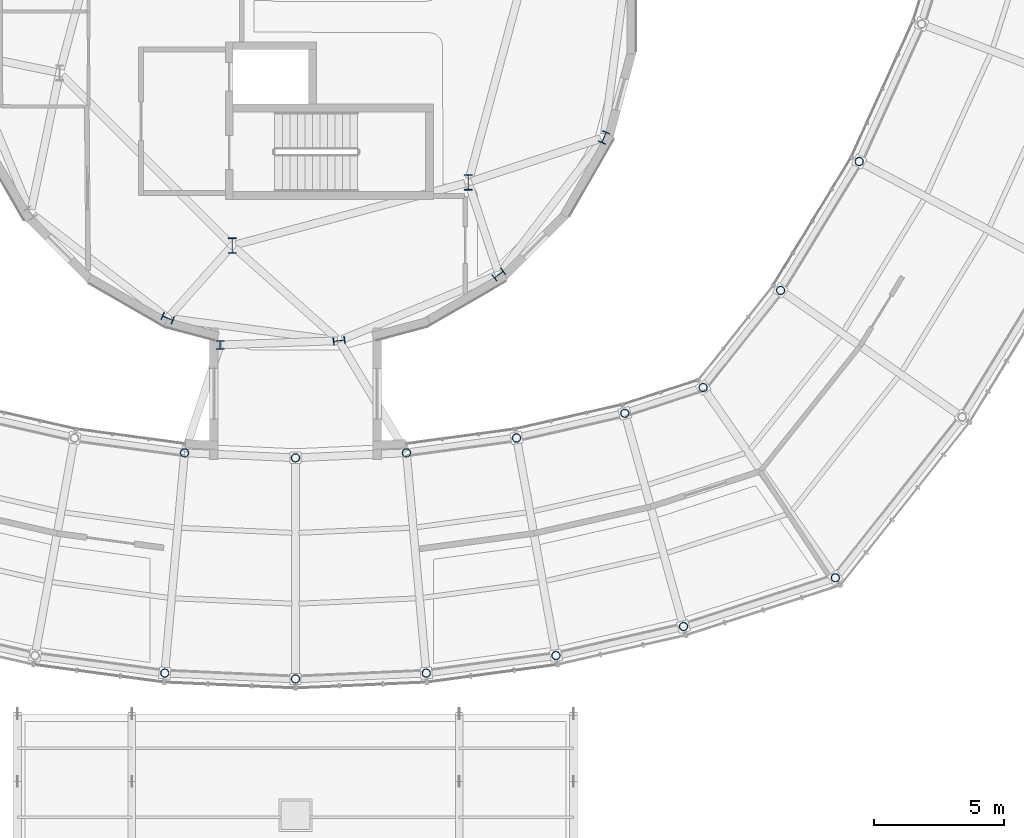
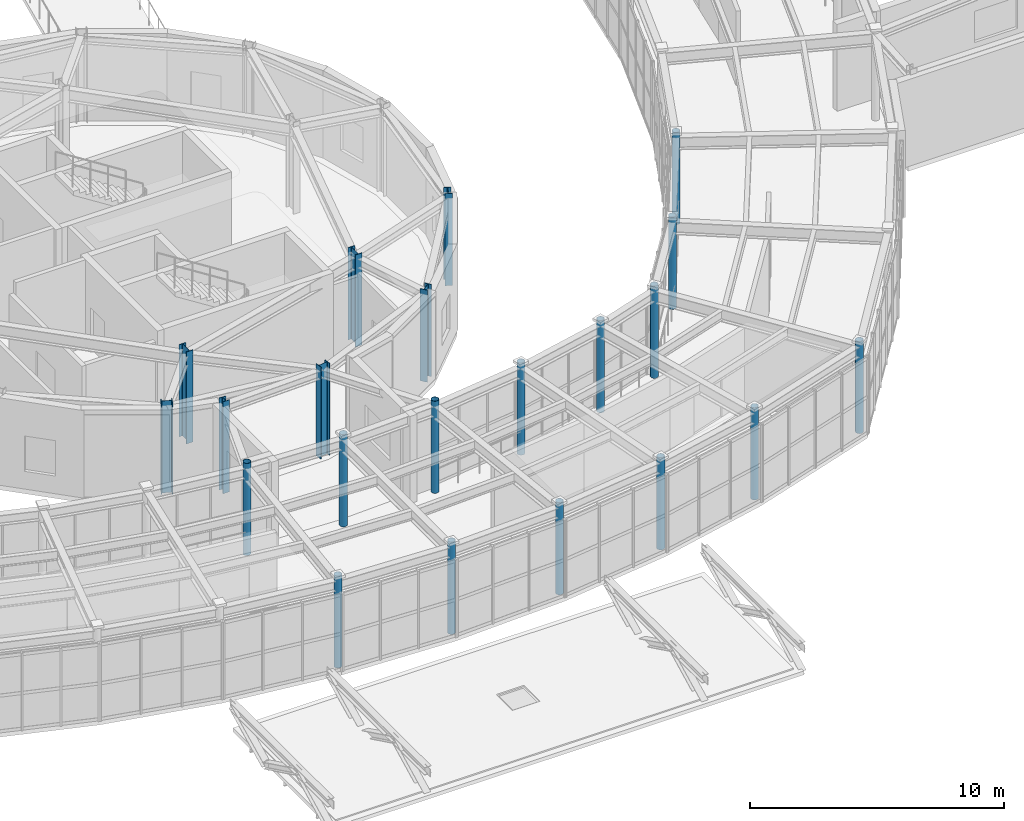
# One storey, part 5 of 103: 21 columns.
"""IFC4 building model written with IfcOpenShell, lengths in metres."""

from ifc_helpers import new_model, si_unit, direction, frame, origin, origin_2d, place, context, subcontext, project, spatial, hollow_circle, i_section, extrude, material, material_profile, profile_set, type_object, element, save


model = new_model("IFC4")

# Units and contexts
model_context = context("Model", 3, precision=1e-05, world=origin(), true_north=direction((0.0, 1.0)))
body_context = subcontext(model_context, "Body", "Model", "MODEL_VIEW")
ifc_project = project(units=[si_unit("LENGTHUNIT", "METRE"), si_unit("AREAUNIT", "SQUARE_METRE"), si_unit("VOLUMEUNIT", "CUBIC_METRE"), si_unit("PLANEANGLEUNIT", "RADIAN"), si_unit("MASSUNIT", "GRAM", prefix="KILO")], contexts=[model_context])

# Site, building, storey
site_placement = place(None, origin())
site = spatial("IfcSite", under=ifc_project, at=site_placement, CompositionType="ELEMENT")
building_placement = place(site_placement, origin())
building = spatial("IfcBuilding", under=site, at=building_placement, Name="Varnklinge Art Gallery", CompositionType="ELEMENT")
storey_placement = place(building_placement, frame((0.0, 0.0, 5.10009765625)))
storey = spatial("IfcBuildingStorey", under=building, at=storey_placement, Name="L01", CompositionType="ELEMENT", Elevation=5.10009765625)

# Columns
ifc_material_1 = material(Name="Steel S355", Category="steel")
ifc_material_profile_1 = material_profile(ifc_material_1, i_section(OverallWidth=0.300048828125, OverallDepth=0.60009765625, WebThickness=0.015380859375, FlangeThickness=0.030029296875, FilletRadius=0.027099609375, at=origin_2d()), Name="HEB 600")
ifc_profile_set_1 = profile_set([ifc_material_profile_1], Name="Steel S355")
column_type_1 = type_object("IfcColumnType", Name="COL-04", PredefinedType="COLUMN", material=ifc_profile_set_1)
for number, where, z_axis, x_axis, name in (
    (1, (73.067138671875, 29.42041015625, 0.0), (0.0, 0.0, 1.0), (1.0, 0.0, 0.0), "L01 Column V4CI-5"),
    (2, (82.146728515625, 31.853271484375, 0.0), (0.0, 0.0, 1.0), (1.0, 0.0, 0.0), "L01 Column V4CI-6"),
):
    element("IfcColumn", number, at=place(storey_placement, frame(where, z_axis=z_axis, x_axis=x_axis)), inside=storey, type_object=column_type_1, Name=name, PredefinedType="COLUMN", context=body_context, shape_type="SweptSolid", body=[
        extrude(i_section(OverallWidth=0.300048828125, OverallDepth=0.60009765625, WebThickness=0.015380859375, FlangeThickness=0.030029296875, FilletRadius=0.027099609375, at=origin_2d()), origin(), (0.0, 0.0, 1.0), 4.419921875),
    ])
ifc_material_2 = material(Name="Steel S355", Category="steel")
ifc_material_profile_2 = material_profile(ifc_material_2, i_section(OverallWidth=0.300048828125, OverallDepth=0.320068359375, WebThickness=0.011474609375, FlangeThickness=0.0205078125, FilletRadius=0.027099609375, at=origin_2d()), Name="HEB 320")
ifc_profile_set_2 = profile_set([ifc_material_profile_2], Name="Steel S355")
column_type_2 = type_object("IfcColumnType", Name="COL-09", PredefinedType="COLUMN", material=ifc_profile_set_2)
column_placement = place(storey_placement, frame((72.60009765625, 25.60009765625, 0.0), z_axis=(0.0, 0.0, 1.0), x_axis=(1.0, 0.0, 0.0)))
element("IfcColumn", 3, at=column_placement, inside=storey, type_object=column_type_2, Name="L01 Column LNK-V4S-C4", PredefinedType="COLUMN", context=body_context, shape_type="SweptSolid", body=[
    extrude(i_section(OverallWidth=0.300048828125, OverallDepth=0.320068359375, WebThickness=0.011474609375, FlangeThickness=0.0205078125, FilletRadius=0.027099609375, at=origin_2d()), origin(), (0.0, 0.0, 1.0), 4.419921875),
])
ifc_material_3 = material(Name="Steel S355", Category="steel")
ifc_material_profile_3 = material_profile(ifc_material_3, i_section(OverallWidth=0.300048828125, OverallDepth=0.449951171875, WebThickness=0.013916015625, FlangeThickness=0.02587890625, FilletRadius=0.027099609375, at=origin_2d()), Name="HEB 450")
ifc_profile_set_3 = profile_set([ifc_material_profile_3], Name="Steel S355")
column_type_3 = type_object("IfcColumnType", Name="COL-E2", PredefinedType="COLUMN", material=ifc_profile_set_3)
for number, where, z_axis, x_axis, name in (
    (4, (70.58251953125, 26.628173828125, 0.0), (0.0, 0.0, 1.0), (-0.382683432365, -0.923879532511, 0.0), "L01 Column V4CP-09"),
    (5, (77.17724609375, 25.760009765625, 0.0), (0.0, 0.0, 1.0), (0.13052619222, -0.991444861374, 0.0), "L01 Column V4CP-10"),
    (6, (83.322509765625, 28.305419921875, 0.0), (0.0, 0.0, 1.0), (0.608761429009, -0.793353340291, 0.0), "L01 Column V4CP-11"),
    (7, (87.371826171875, 33.58251953125, 0.0), (0.0, 0.0, 1.0), (0.923879532511, -0.382683432365, 0.0), "L01 Column V4CP-12"),
):
    element("IfcColumn", number, at=place(storey_placement, frame(where, z_axis=z_axis, x_axis=x_axis)), inside=storey, type_object=column_type_3, Name=name, PredefinedType="COLUMN", context=body_context, shape_type="SweptSolid", body=[
        extrude(i_section(OverallWidth=0.300048828125, OverallDepth=0.449951171875, WebThickness=0.013916015625, FlangeThickness=0.02587890625, FilletRadius=0.027099609375, at=origin_2d()), origin(), (0.0, 0.0, 1.0), 4.419921875),
    ])
ifc_material_4 = material(Name="Steel S355", Category="steel")
ifc_material_profile_4 = material_profile(ifc_material_4, hollow_circle(Radius=0.161865234375, WallThickness=0.01611328125, at=origin_2d()), Name="CHS 323.9x16")
ifc_profile_set_4 = profile_set([ifc_material_profile_4], Name="Steel S355")
column_type_4 = type_object("IfcColumnType", Name="COL-E6", PredefinedType="COLUMN", material=ifc_profile_set_4)
for number, where, z_axis, x_axis, name in (
    (8, (96.27099609375, 16.64013671875, 0.0), (0.0, 0.0, 1.0), (-0.570570241419, 0.821248804935, 0.0), "L01 Column V2CO-01"),
    (9, (91.185791015625, 23.958984375, 0.0), (0.0, 0.0, 1.0), (-0.570570241419, 0.821248804935, 0.0), "L01 Column V2CI-01"),
    (10, (94.1630859375, 27.6962890625, 0.0), (0.0, 0.0, 1.0), (-0.820351542489, 0.571859551582, 0.0), "L01 Column V2CI-02"),
    (11, (97.189697265625, 32.655517578125, 0.0), (0.0, 0.0, 1.0), (-0.883683947469, 0.468084053333, 0.0), "L01 Column V2CI-03"),
    (12, (70.4697265625, 12.970703125, 0.0), (0.0, 0.0, 1.0), (0.089415810539, 0.995994383933, 0.0), "L01 Column V2CO-36"),
    (13, (71.230712890625, 21.44580078125, 0.0), (0.0, 0.0, 1.0), (0.089415810539, 0.995994383933, 0.0), "L01 Column V2CI-36"),
    (14, (75.5, 12.745361328125, 0.0), (0.0, 0.0, 1.0), (0.0, 1.0, 0.0), "L01 Column V2CO-37"),
    (15, (75.5, 21.254638671875, 0.0), (0.0, 0.0, 1.0), (0.0, 1.0, 0.0), "L01 Column V2CI-37"),
    (16, (80.5302734375, 12.970703125, 0.0), (0.0, 0.0, 1.0), (-0.089415810539, 0.995994383933, 0.0), "L01 Column V2CO-38"),
    (17, (79.769287109375, 21.44580078125, 0.0), (0.0, 0.0, 1.0), (-0.089415810539, 0.995994383933, 0.0), "L01 Column V2CI-38"),
    (18, (85.520263671875, 13.64501953125, 0.0), (0.0, 0.0, 1.0), (-0.178115290264, 0.984009625651, 0.0), "L01 Column V2CO-39"),
    (19, (84.00439453125, 22.018310546875, 0.0), (0.0, 0.0, 1.0), (-0.178115290264, 0.984009625651, 0.0), "L01 Column V2CI-39"),
    (20, (90.4296875, 14.7626953125, 0.0), (0.0, 0.0, 1.0), (-0.265387847052, 0.964141737836, 0.0), "L01 Column V2CO-40"),
    (21, (88.17138671875, 22.966796875, 0.0), (0.0, 0.0, 1.0), (-0.265387847052, 0.964141737836, 0.0), "L01 Column V2CI-40"),
):
    element("IfcColumn", number, at=place(storey_placement, frame(where, z_axis=z_axis, x_axis=x_axis)), inside=storey, type_object=column_type_4, Name=name, PredefinedType="COLUMN", context=body_context, shape_type="SweptSolid", body=[
        extrude(hollow_circle(Radius=0.161865234375, WallThickness=0.01611328125, at=origin_2d()), origin(), (0.0, 0.0, 1.0), 4.419921875),
    ])

save(model, "model.ifc")
